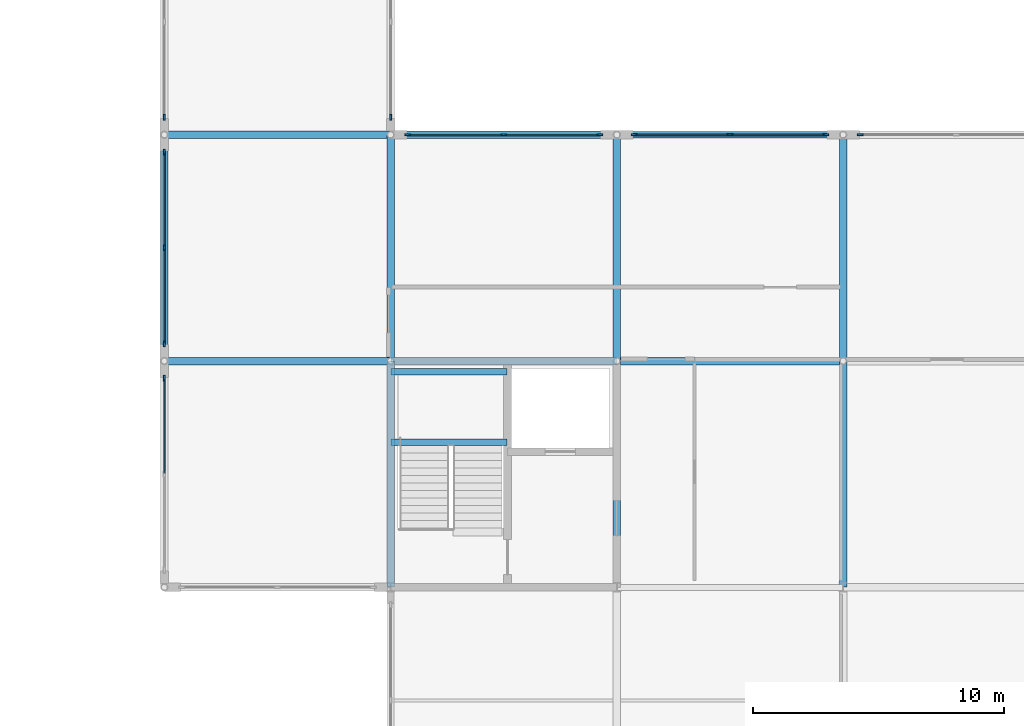
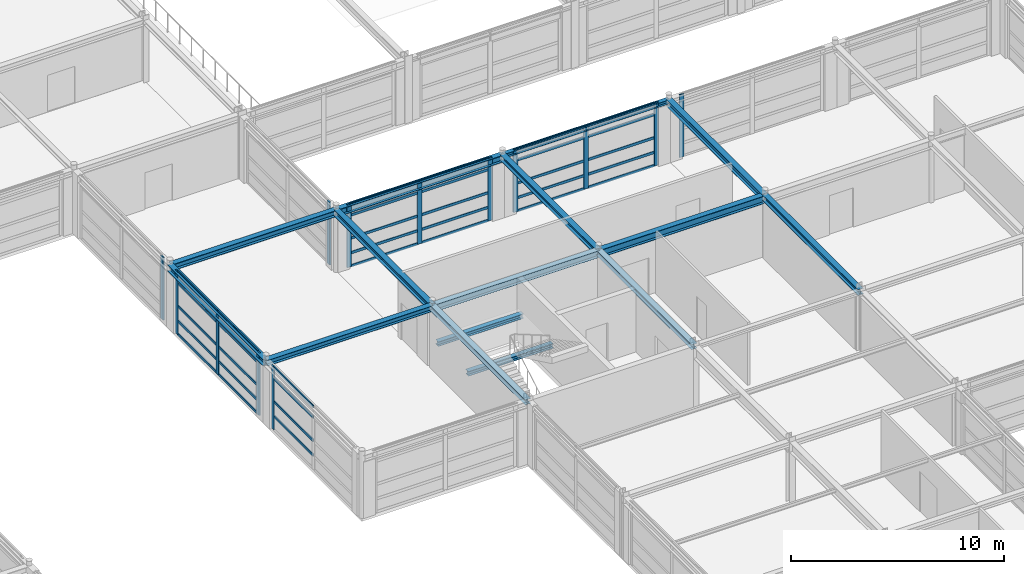
# One storey, part 30 of 79: 47 members, 15 beams, 7 elements without a shape of their own.
"""IFC4 building model written with IfcOpenShell, lengths in metres."""

from ifc_helpers import new_model, si_unit, direction, frame, origin, origin_2d, place, context, subcontext, project, spatial, rectangle, i_section, extrude, material, material_profile, profile_set, type_object, element, aggregate, save


model = new_model("IFC4")

# Units and contexts
model_context = context("Model", 3, precision=1e-05, world=origin(), true_north=direction((0.0, 1.0)))
body_context = subcontext(model_context, "Body", "Model", "MODEL_VIEW")
ifc_project = project(units=[si_unit("LENGTHUNIT", "METRE"), si_unit("AREAUNIT", "SQUARE_METRE"), si_unit("VOLUMEUNIT", "CUBIC_METRE"), si_unit("PLANEANGLEUNIT", "RADIAN"), si_unit("MASSUNIT", "GRAM", prefix="KILO")], contexts=[model_context])

# Site, building, storey
site_placement = place(None, origin())
site = spatial("IfcSite", under=ifc_project, at=site_placement, CompositionType="ELEMENT")
building_placement = place(site_placement, origin())
building = spatial("IfcBuilding", under=site, at=building_placement, Name="Palais des Congres Ocreval", CompositionType="ELEMENT")
storey_placement = place(building_placement, frame((0.0, 0.0, 4.320068359375)))
storey = spatial("IfcBuildingStorey", under=building, at=storey_placement, Name="L01", CompositionType="ELEMENT", Elevation=4.320068359375)

# Curtain wall, member
ifc_material_1 = material(Name="Anodized bronze aluminium and low-E glass", Category="glass")
curtain_wall_type = type_object("IfcCurtainWallType", Name="Unitised Curtain Wall 7900x3660", PredefinedType="USERDEFINED", material=ifc_material_1)
curtain_wall_1_placement = place(storey_placement, origin())
curtain_wall_1 = element("IfcCurtainWall", 1, at=curtain_wall_1_placement, inside=storey, type_object=curtain_wall_type, Name="Unitised Curtain Wall CW02 L01", ObjectType="UNITISED CURTAIN WALL", PredefinedType="USERDEFINED")
ifc_material_2 = material(Name="Anodized bronze aluminium", Category="aluminium")
ifc_material_profile_1 = material_profile(ifc_material_2, rectangle(XDim=0.074951171875, YDim=0.239990234375, at=origin_2d()), Name="ALU 75x240")
ifc_profile_set_1 = profile_set([ifc_material_profile_1], Name="Anodized bronze aluminium")
member_type_1 = type_object("IfcMemberType", Name="Curtain Wall Mullion ALU 75x240", PredefinedType="MULLION", material=ifc_profile_set_1)
member_1_placement = place(storey_placement, frame((108.0, 63.6875, 0.0), z_axis=(0.0, 0.0, 1.0), x_axis=(1.0, 0.0, 0.0)))
member_1 = element("IfcMember", 2, at=member_1_placement, type_object=member_type_1, Name="Curtain Wall Mullion ML01", PredefinedType="MULLION", context=body_context, shape_type="SweptSolid", body=[
    extrude(rectangle(XDim=0.074951171875, YDim=0.239990234375, at=origin_2d()), origin(), (0.0, 0.0, 1.0), 3.58984375),
])
aggregate(curtain_wall_1, [member_1])

# Curtain wall, members
curtain_wall_2_placement = place(storey_placement, origin())
curtain_wall_2 = element("IfcCurtainWall", 3, at=curtain_wall_2_placement, inside=storey, type_object=curtain_wall_type, Name="Unitised Curtain Wall CW02 L01", ObjectType="UNITISED CURTAIN WALL", PredefinedType="USERDEFINED")
member_2_placement = place(storey_placement, frame((108.6875, 63.0, 0.0), z_axis=(0.0, 0.0, 1.0), x_axis=(0.0, 1.0, 0.0)))
member_2 = element("IfcMember", 4, at=member_2_placement, type_object=member_type_1, Name="Curtain Wall Mullion ML01", PredefinedType="MULLION", context=body_context, shape_type="SweptSolid", body=[
    extrude(rectangle(XDim=0.074951171875, YDim=0.239990234375, at=origin_2d()), origin(), (0.0, 0.0, 1.0), 3.58984375),
])
member_3_placement = place(storey_placement, frame((112.5, 63.0, 0.0), z_axis=(0.0, 0.0, 1.0), x_axis=(0.0, 1.0, 0.0)))
member_3 = element("IfcMember", 5, at=member_3_placement, type_object=member_type_1, Name="Curtain Wall Mullion ML01", PredefinedType="MULLION", context=body_context, shape_type="SweptSolid", body=[
    extrude(rectangle(XDim=0.074951171875, YDim=0.239990234375, at=origin_2d()), origin(), (0.0, 0.0, 1.0), 3.58984375),
])
member_4_placement = place(storey_placement, frame((116.3125, 63.0, 0.0), z_axis=(0.0, 0.0, 1.0), x_axis=(0.0, 1.0, 0.0)))
member_4 = element("IfcMember", 6, at=member_4_placement, type_object=member_type_1, Name="Curtain Wall Mullion ML01", PredefinedType="MULLION", context=body_context, shape_type="SweptSolid", body=[
    extrude(rectangle(XDim=0.074951171875, YDim=0.239990234375, at=origin_2d()), origin(), (0.0, 0.0, 1.0), 3.58984375),
])

curtain_wall_3_placement = place(storey_placement, origin())
curtain_wall_3 = element("IfcCurtainWall", 7, at=curtain_wall_3_placement, inside=storey, type_object=curtain_wall_type, Name="Unitised Curtain Wall CW02 L01", ObjectType="UNITISED CURTAIN WALL", PredefinedType="USERDEFINED")
member_5_placement = place(storey_placement, frame((117.6875, 63.0, 0.0), z_axis=(0.0, 0.0, 1.0), x_axis=(0.0, 1.0, 0.0)))
member_5 = element("IfcMember", 8, at=member_5_placement, type_object=member_type_1, Name="Curtain Wall Mullion ML01", PredefinedType="MULLION", context=body_context, shape_type="SweptSolid", body=[
    extrude(rectangle(XDim=0.074951171875, YDim=0.239990234375, at=origin_2d()), origin(), (0.0, 0.0, 1.0), 3.58984375),
])
member_6_placement = place(storey_placement, frame((121.5, 63.0, 0.0), z_axis=(0.0, 0.0, 1.0), x_axis=(0.0, 1.0, 0.0)))
member_6 = element("IfcMember", 9, at=member_6_placement, type_object=member_type_1, Name="Curtain Wall Mullion ML01", PredefinedType="MULLION", context=body_context, shape_type="SweptSolid", body=[
    extrude(rectangle(XDim=0.074951171875, YDim=0.239990234375, at=origin_2d()), origin(), (0.0, 0.0, 1.0), 3.58984375),
])
member_7_placement = place(storey_placement, frame((125.3125, 63.0, 0.0), z_axis=(0.0, 0.0, 1.0), x_axis=(0.0, 1.0, 0.0)))
member_7 = element("IfcMember", 10, at=member_7_placement, type_object=member_type_1, Name="Curtain Wall Mullion ML01", PredefinedType="MULLION", context=body_context, shape_type="SweptSolid", body=[
    extrude(rectangle(XDim=0.074951171875, YDim=0.239990234375, at=origin_2d()), origin(), (0.0, 0.0, 1.0), 3.58984375),
])

# Curtain wall, member
curtain_wall_4_placement = place(storey_placement, origin())
curtain_wall_4 = element("IfcCurtainWall", 11, at=curtain_wall_4_placement, inside=storey, type_object=curtain_wall_type, Name="Unitised Curtain Wall CW02 L01", ObjectType="UNITISED CURTAIN WALL", PredefinedType="USERDEFINED")
member_8_placement = place(storey_placement, frame((126.6875, 63.0, 0.0), z_axis=(0.0, 0.0, 1.0), x_axis=(0.0, 1.0, 0.0)))
member_8 = element("IfcMember", 12, at=member_8_placement, type_object=member_type_1, Name="Curtain Wall Mullion ML01", PredefinedType="MULLION", context=body_context, shape_type="SweptSolid", body=[
    extrude(rectangle(XDim=0.074951171875, YDim=0.239990234375, at=origin_2d()), origin(), (0.0, 0.0, 1.0), 3.58984375),
])
aggregate(curtain_wall_4, [member_8])

curtain_wall_5_placement = place(storey_placement, origin())
curtain_wall_5 = element("IfcCurtainWall", 13, at=curtain_wall_5_placement, inside=storey, type_object=curtain_wall_type, Name="Unitised Curtain Wall CW02 L01", ObjectType="UNITISED CURTAIN WALL", PredefinedType="USERDEFINED")
member_9_placement = place(storey_placement, frame((99.0, 53.3125, 0.0), z_axis=(0.0, 0.0, 1.0), x_axis=(-1.0, 0.0, 0.0)))
member_9 = element("IfcMember", 14, at=member_9_placement, type_object=member_type_1, Name="Curtain Wall Mullion ML01", PredefinedType="MULLION", context=body_context, shape_type="SweptSolid", body=[
    extrude(rectangle(XDim=0.074951171875, YDim=0.239990234375, at=origin_2d()), origin(), (0.0, 0.0, 1.0), 3.58984375),
])

# Curtain wall, members
curtain_wall_6_placement = place(storey_placement, origin())
curtain_wall_6 = element("IfcCurtainWall", 15, at=curtain_wall_6_placement, inside=storey, type_object=curtain_wall_type, Name="Unitised Curtain Wall CW02 L01", ObjectType="UNITISED CURTAIN WALL", PredefinedType="USERDEFINED")
member_10_placement = place(storey_placement, frame((99.0, 54.6875, 0.0), z_axis=(0.0, 0.0, 1.0), x_axis=(-1.0, 0.0, 0.0)))
member_10 = element("IfcMember", 16, at=member_10_placement, type_object=member_type_1, Name="Curtain Wall Mullion ML01", PredefinedType="MULLION", context=body_context, shape_type="SweptSolid", body=[
    extrude(rectangle(XDim=0.074951171875, YDim=0.239990234375, at=origin_2d()), origin(), (0.0, 0.0, 1.0), 3.58984375),
])
member_11_placement = place(storey_placement, frame((99.0, 58.5, 0.0), z_axis=(0.0, 0.0, 1.0), x_axis=(-1.0, 0.0, 0.0)))
member_11 = element("IfcMember", 17, at=member_11_placement, type_object=member_type_1, Name="Curtain Wall Mullion ML01", PredefinedType="MULLION", context=body_context, shape_type="SweptSolid", body=[
    extrude(rectangle(XDim=0.074951171875, YDim=0.239990234375, at=origin_2d()), origin(), (0.0, 0.0, 1.0), 3.58984375),
])
member_12_placement = place(storey_placement, frame((99.0, 62.3125, 0.0), z_axis=(0.0, 0.0, 1.0), x_axis=(-1.0, 0.0, 0.0)))
member_12 = element("IfcMember", 18, at=member_12_placement, type_object=member_type_1, Name="Curtain Wall Mullion ML01", PredefinedType="MULLION", context=body_context, shape_type="SweptSolid", body=[
    extrude(rectangle(XDim=0.074951171875, YDim=0.239990234375, at=origin_2d()), origin(), (0.0, 0.0, 1.0), 3.58984375),
])

# Curtain wall, member
curtain_wall_7_placement = place(storey_placement, origin())
curtain_wall_7 = element("IfcCurtainWall", 19, at=curtain_wall_7_placement, inside=storey, type_object=curtain_wall_type, Name="Unitised Curtain Wall CW02 L01", ObjectType="UNITISED CURTAIN WALL", PredefinedType="USERDEFINED")
member_13_placement = place(storey_placement, frame((99.0, 63.6875, 0.0), z_axis=(0.0, 0.0, 1.0), x_axis=(-1.0, 0.0, 0.0)))
member_13 = element("IfcMember", 20, at=member_13_placement, type_object=member_type_1, Name="Curtain Wall Mullion ML01", PredefinedType="MULLION", context=body_context, shape_type="SweptSolid", body=[
    extrude(rectangle(XDim=0.074951171875, YDim=0.239990234375, at=origin_2d()), origin(), (0.0, 0.0, 1.0), 3.58984375),
])
aggregate(curtain_wall_7, [member_13])

# Member
ifc_material_profile_2 = material_profile(ifc_material_2, rectangle(XDim=0.06005859375, YDim=0.14990234375, at=origin_2d()), Name="ALU 60x150")
ifc_profile_set_2 = profile_set([ifc_material_profile_2], Name="Anodized bronze aluminium")
member_type_2 = type_object("IfcMemberType", Name="Curtain Wall Transom ALU 60x150", PredefinedType="USERDEFINED", material=ifc_profile_set_2)
member_14_placement = place(storey_placement, frame((108.72509765625, 63.0, 0.030029296875), z_axis=(1.0, 0.0, 0.0), x_axis=(0.0, 1.0, 0.0)))
member_14 = element("IfcMember", 21, at=member_14_placement, type_object=member_type_2, Name="Curtain Wall Transom TR01", ObjectType="TRANSOM", PredefinedType="USERDEFINED", context=body_context, shape_type="SweptSolid", body=[
    extrude(rectangle(XDim=0.06005859375, YDim=0.14990234375, at=origin_2d()), origin(), (0.0, 0.0, 1.0), 3.7373046875),
])

member_15_placement = place(storey_placement, frame((108.72509765625, 63.0, 0.780029296875), z_axis=(1.0, 0.0, 0.0), x_axis=(0.0, 1.0, 0.0)))
member_15 = element("IfcMember", 22, at=member_15_placement, type_object=member_type_2, Name="Curtain Wall Transom TR01", ObjectType="TRANSOM", PredefinedType="USERDEFINED", context=body_context, shape_type="SweptSolid", body=[
    extrude(rectangle(XDim=0.06005859375, YDim=0.14990234375, at=origin_2d()), origin(), (0.0, 0.0, 1.0), 3.7373046875),
])

member_16_placement = place(storey_placement, frame((108.72509765625, 63.0, 1.616943359375), z_axis=(1.0, 0.0, 0.0), x_axis=(0.0, 1.0, 0.0)))
member_16 = element("IfcMember", 23, at=member_16_placement, type_object=member_type_2, Name="Curtain Wall Transom TR01", ObjectType="TRANSOM", PredefinedType="USERDEFINED", context=body_context, shape_type="SweptSolid", body=[
    extrude(rectangle(XDim=0.06005859375, YDim=0.14990234375, at=origin_2d()), origin(), (0.0, 0.0, 1.0), 3.7373046875),
])

member_17_placement = place(storey_placement, frame((108.72509765625, 63.0, 2.93994140625), z_axis=(1.0, 0.0, 0.0), x_axis=(0.0, 1.0, 0.0)))
member_17 = element("IfcMember", 24, at=member_17_placement, type_object=member_type_2, Name="Curtain Wall Transom TR01", ObjectType="TRANSOM", PredefinedType="USERDEFINED", context=body_context, shape_type="SweptSolid", body=[
    extrude(rectangle(XDim=0.06005859375, YDim=0.14990234375, at=origin_2d()), origin(), (0.0, 0.0, 1.0), 3.7373046875),
])

member_18_placement = place(storey_placement, frame((108.72509765625, 63.0, 3.559814453125), z_axis=(1.0, 0.0, 0.0), x_axis=(0.0, 1.0, 0.0)))
member_18 = element("IfcMember", 25, at=member_18_placement, type_object=member_type_2, Name="Curtain Wall Transom TR01", ObjectType="TRANSOM", PredefinedType="USERDEFINED", context=body_context, shape_type="SweptSolid", body=[
    extrude(rectangle(XDim=0.06005859375, YDim=0.14990234375, at=origin_2d()), origin(), (0.0, 0.0, 1.0), 3.7373046875),
])

member_19_placement = place(storey_placement, frame((112.53759765625, 63.0, 0.030029296875), z_axis=(1.0, 0.0, 0.0), x_axis=(0.0, 1.0, 0.0)))
member_19 = element("IfcMember", 26, at=member_19_placement, type_object=member_type_2, Name="Curtain Wall Transom TR01", ObjectType="TRANSOM", PredefinedType="USERDEFINED", context=body_context, shape_type="SweptSolid", body=[
    extrude(rectangle(XDim=0.06005859375, YDim=0.14990234375, at=origin_2d()), origin(), (0.0, 0.0, 1.0), 3.7373046875),
])

member_20_placement = place(storey_placement, frame((112.53759765625, 63.0, 0.780029296875), z_axis=(1.0, 0.0, 0.0), x_axis=(0.0, 1.0, 0.0)))
member_20 = element("IfcMember", 27, at=member_20_placement, type_object=member_type_2, Name="Curtain Wall Transom TR01", ObjectType="TRANSOM", PredefinedType="USERDEFINED", context=body_context, shape_type="SweptSolid", body=[
    extrude(rectangle(XDim=0.06005859375, YDim=0.14990234375, at=origin_2d()), origin(), (0.0, 0.0, 1.0), 3.7373046875),
])

member_21_placement = place(storey_placement, frame((112.53759765625, 63.0, 1.616943359375), z_axis=(1.0, 0.0, 0.0), x_axis=(0.0, 1.0, 0.0)))
member_21 = element("IfcMember", 28, at=member_21_placement, type_object=member_type_2, Name="Curtain Wall Transom TR01", ObjectType="TRANSOM", PredefinedType="USERDEFINED", context=body_context, shape_type="SweptSolid", body=[
    extrude(rectangle(XDim=0.06005859375, YDim=0.14990234375, at=origin_2d()), origin(), (0.0, 0.0, 1.0), 3.7373046875),
])

member_22_placement = place(storey_placement, frame((112.53759765625, 63.0, 2.93994140625), z_axis=(1.0, 0.0, 0.0), x_axis=(0.0, 1.0, 0.0)))
member_22 = element("IfcMember", 29, at=member_22_placement, type_object=member_type_2, Name="Curtain Wall Transom TR01", ObjectType="TRANSOM", PredefinedType="USERDEFINED", context=body_context, shape_type="SweptSolid", body=[
    extrude(rectangle(XDim=0.06005859375, YDim=0.14990234375, at=origin_2d()), origin(), (0.0, 0.0, 1.0), 3.7373046875),
])

member_23_placement = place(storey_placement, frame((112.53759765625, 63.0, 3.559814453125), z_axis=(1.0, 0.0, 0.0), x_axis=(0.0, 1.0, 0.0)))
member_23 = element("IfcMember", 30, at=member_23_placement, type_object=member_type_2, Name="Curtain Wall Transom TR01", ObjectType="TRANSOM", PredefinedType="USERDEFINED", context=body_context, shape_type="SweptSolid", body=[
    extrude(rectangle(XDim=0.06005859375, YDim=0.14990234375, at=origin_2d()), origin(), (0.0, 0.0, 1.0), 3.7373046875),
])

aggregate(curtain_wall_2, [member_2, member_3, member_4, member_14, member_15, member_16, member_17, member_18, member_19, member_20, member_21, member_22, member_23])

member_24_placement = place(storey_placement, frame((117.72509765625, 63.0, 0.030029296875), z_axis=(1.0, 0.0, 0.0), x_axis=(0.0, 1.0, 0.0)))
member_24 = element("IfcMember", 31, at=member_24_placement, type_object=member_type_2, Name="Curtain Wall Transom TR01", ObjectType="TRANSOM", PredefinedType="USERDEFINED", context=body_context, shape_type="SweptSolid", body=[
    extrude(rectangle(XDim=0.06005859375, YDim=0.14990234375, at=origin_2d()), origin(), (0.0, 0.0, 1.0), 3.7373046875),
])

member_25_placement = place(storey_placement, frame((117.72509765625, 63.0, 0.780029296875), z_axis=(1.0, 0.0, 0.0), x_axis=(0.0, 1.0, 0.0)))
member_25 = element("IfcMember", 32, at=member_25_placement, type_object=member_type_2, Name="Curtain Wall Transom TR01", ObjectType="TRANSOM", PredefinedType="USERDEFINED", context=body_context, shape_type="SweptSolid", body=[
    extrude(rectangle(XDim=0.06005859375, YDim=0.14990234375, at=origin_2d()), origin(), (0.0, 0.0, 1.0), 3.7373046875),
])

member_26_placement = place(storey_placement, frame((117.72509765625, 63.0, 1.616943359375), z_axis=(1.0, 0.0, 0.0), x_axis=(0.0, 1.0, 0.0)))
member_26 = element("IfcMember", 33, at=member_26_placement, type_object=member_type_2, Name="Curtain Wall Transom TR01", ObjectType="TRANSOM", PredefinedType="USERDEFINED", context=body_context, shape_type="SweptSolid", body=[
    extrude(rectangle(XDim=0.06005859375, YDim=0.14990234375, at=origin_2d()), origin(), (0.0, 0.0, 1.0), 3.7373046875),
])

member_27_placement = place(storey_placement, frame((117.72509765625, 63.0, 2.93994140625), z_axis=(1.0, 0.0, 0.0), x_axis=(0.0, 1.0, 0.0)))
member_27 = element("IfcMember", 34, at=member_27_placement, type_object=member_type_2, Name="Curtain Wall Transom TR01", ObjectType="TRANSOM", PredefinedType="USERDEFINED", context=body_context, shape_type="SweptSolid", body=[
    extrude(rectangle(XDim=0.06005859375, YDim=0.14990234375, at=origin_2d()), origin(), (0.0, 0.0, 1.0), 3.7373046875),
])

member_28_placement = place(storey_placement, frame((117.72509765625, 63.0, 3.559814453125), z_axis=(1.0, 0.0, 0.0), x_axis=(0.0, 1.0, 0.0)))
member_28 = element("IfcMember", 35, at=member_28_placement, type_object=member_type_2, Name="Curtain Wall Transom TR01", ObjectType="TRANSOM", PredefinedType="USERDEFINED", context=body_context, shape_type="SweptSolid", body=[
    extrude(rectangle(XDim=0.06005859375, YDim=0.14990234375, at=origin_2d()), origin(), (0.0, 0.0, 1.0), 3.7373046875),
])

member_29_placement = place(storey_placement, frame((121.53759765625, 63.0, 0.030029296875), z_axis=(1.0, 0.0, 0.0), x_axis=(0.0, 1.0, 0.0)))
member_29 = element("IfcMember", 36, at=member_29_placement, type_object=member_type_2, Name="Curtain Wall Transom TR01", ObjectType="TRANSOM", PredefinedType="USERDEFINED", context=body_context, shape_type="SweptSolid", body=[
    extrude(rectangle(XDim=0.06005859375, YDim=0.14990234375, at=origin_2d()), origin(), (0.0, 0.0, 1.0), 3.7373046875),
])

member_30_placement = place(storey_placement, frame((121.53759765625, 63.0, 0.780029296875), z_axis=(1.0, 0.0, 0.0), x_axis=(0.0, 1.0, 0.0)))
member_30 = element("IfcMember", 37, at=member_30_placement, type_object=member_type_2, Name="Curtain Wall Transom TR01", ObjectType="TRANSOM", PredefinedType="USERDEFINED", context=body_context, shape_type="SweptSolid", body=[
    extrude(rectangle(XDim=0.06005859375, YDim=0.14990234375, at=origin_2d()), origin(), (0.0, 0.0, 1.0), 3.7373046875),
])

member_31_placement = place(storey_placement, frame((121.53759765625, 63.0, 1.616943359375), z_axis=(1.0, 0.0, 0.0), x_axis=(0.0, 1.0, 0.0)))
member_31 = element("IfcMember", 38, at=member_31_placement, type_object=member_type_2, Name="Curtain Wall Transom TR01", ObjectType="TRANSOM", PredefinedType="USERDEFINED", context=body_context, shape_type="SweptSolid", body=[
    extrude(rectangle(XDim=0.06005859375, YDim=0.14990234375, at=origin_2d()), origin(), (0.0, 0.0, 1.0), 3.7373046875),
])

member_32_placement = place(storey_placement, frame((121.53759765625, 63.0, 2.93994140625), z_axis=(1.0, 0.0, 0.0), x_axis=(0.0, 1.0, 0.0)))
member_32 = element("IfcMember", 39, at=member_32_placement, type_object=member_type_2, Name="Curtain Wall Transom TR01", ObjectType="TRANSOM", PredefinedType="USERDEFINED", context=body_context, shape_type="SweptSolid", body=[
    extrude(rectangle(XDim=0.06005859375, YDim=0.14990234375, at=origin_2d()), origin(), (0.0, 0.0, 1.0), 3.7373046875),
])

member_33_placement = place(storey_placement, frame((121.53759765625, 63.0, 3.559814453125), z_axis=(1.0, 0.0, 0.0), x_axis=(0.0, 1.0, 0.0)))
member_33 = element("IfcMember", 40, at=member_33_placement, type_object=member_type_2, Name="Curtain Wall Transom TR01", ObjectType="TRANSOM", PredefinedType="USERDEFINED", context=body_context, shape_type="SweptSolid", body=[
    extrude(rectangle(XDim=0.06005859375, YDim=0.14990234375, at=origin_2d()), origin(), (0.0, 0.0, 1.0), 3.7373046875),
])

aggregate(curtain_wall_3, [member_5, member_6, member_7, member_24, member_25, member_26, member_27, member_28, member_29, member_30, member_31, member_32, member_33])

member_34_placement = place(storey_placement, frame((99.0, 49.53759765625, 0.780029296875), z_axis=(0.0, 1.0, 0.0), x_axis=(-1.0, 0.0, 0.0)))
member_34 = element("IfcMember", 41, at=member_34_placement, type_object=member_type_2, Name="Curtain Wall Transom TR01", ObjectType="TRANSOM", PredefinedType="USERDEFINED", context=body_context, shape_type="SweptSolid", body=[
    extrude(rectangle(XDim=0.06005859375, YDim=0.14990234375, at=origin_2d()), origin(), (0.0, 0.0, 1.0), 3.7373046875),
])

member_35_placement = place(storey_placement, frame((99.0, 49.53759765625, 1.616943359375), z_axis=(0.0, 1.0, 0.0), x_axis=(-1.0, 0.0, 0.0)))
member_35 = element("IfcMember", 42, at=member_35_placement, type_object=member_type_2, Name="Curtain Wall Transom TR01", ObjectType="TRANSOM", PredefinedType="USERDEFINED", context=body_context, shape_type="SweptSolid", body=[
    extrude(rectangle(XDim=0.06005859375, YDim=0.14990234375, at=origin_2d()), origin(), (0.0, 0.0, 1.0), 3.7373046875),
])

member_36_placement = place(storey_placement, frame((99.0, 49.53759765625, 2.93994140625), z_axis=(0.0, 1.0, 0.0), x_axis=(-1.0, 0.0, 0.0)))
member_36 = element("IfcMember", 43, at=member_36_placement, type_object=member_type_2, Name="Curtain Wall Transom TR01", ObjectType="TRANSOM", PredefinedType="USERDEFINED", context=body_context, shape_type="SweptSolid", body=[
    extrude(rectangle(XDim=0.06005859375, YDim=0.14990234375, at=origin_2d()), origin(), (0.0, 0.0, 1.0), 3.7373046875),
])

member_37_placement = place(storey_placement, frame((99.0, 49.53759765625, 3.559814453125), z_axis=(0.0, 1.0, 0.0), x_axis=(-1.0, 0.0, 0.0)))
member_37 = element("IfcMember", 44, at=member_37_placement, type_object=member_type_2, Name="Curtain Wall Transom TR01", ObjectType="TRANSOM", PredefinedType="USERDEFINED", context=body_context, shape_type="SweptSolid", body=[
    extrude(rectangle(XDim=0.06005859375, YDim=0.14990234375, at=origin_2d()), origin(), (0.0, 0.0, 1.0), 3.7373046875),
])

aggregate(curtain_wall_5, [member_9, member_34, member_35, member_36, member_37])

member_38_placement = place(storey_placement, frame((99.0, 54.72509765625, 0.030029296875), z_axis=(0.0, 1.0, 0.0), x_axis=(-1.0, 0.0, 0.0)))
member_38 = element("IfcMember", 45, at=member_38_placement, type_object=member_type_2, Name="Curtain Wall Transom TR01", ObjectType="TRANSOM", PredefinedType="USERDEFINED", context=body_context, shape_type="SweptSolid", body=[
    extrude(rectangle(XDim=0.06005859375, YDim=0.14990234375, at=origin_2d()), origin(), (0.0, 0.0, 1.0), 3.7373046875),
])

member_39_placement = place(storey_placement, frame((99.0, 54.72509765625, 0.780029296875), z_axis=(0.0, 1.0, 0.0), x_axis=(-1.0, 0.0, 0.0)))
member_39 = element("IfcMember", 46, at=member_39_placement, type_object=member_type_2, Name="Curtain Wall Transom TR01", ObjectType="TRANSOM", PredefinedType="USERDEFINED", context=body_context, shape_type="SweptSolid", body=[
    extrude(rectangle(XDim=0.06005859375, YDim=0.14990234375, at=origin_2d()), origin(), (0.0, 0.0, 1.0), 3.7373046875),
])

member_40_placement = place(storey_placement, frame((99.0, 54.72509765625, 1.616943359375), z_axis=(0.0, 1.0, 0.0), x_axis=(-1.0, 0.0, 0.0)))
member_40 = element("IfcMember", 47, at=member_40_placement, type_object=member_type_2, Name="Curtain Wall Transom TR01", ObjectType="TRANSOM", PredefinedType="USERDEFINED", context=body_context, shape_type="SweptSolid", body=[
    extrude(rectangle(XDim=0.06005859375, YDim=0.14990234375, at=origin_2d()), origin(), (0.0, 0.0, 1.0), 3.7373046875),
])

member_41_placement = place(storey_placement, frame((99.0, 54.72509765625, 2.93994140625), z_axis=(0.0, 1.0, 0.0), x_axis=(-1.0, 0.0, 0.0)))
member_41 = element("IfcMember", 48, at=member_41_placement, type_object=member_type_2, Name="Curtain Wall Transom TR01", ObjectType="TRANSOM", PredefinedType="USERDEFINED", context=body_context, shape_type="SweptSolid", body=[
    extrude(rectangle(XDim=0.06005859375, YDim=0.14990234375, at=origin_2d()), origin(), (0.0, 0.0, 1.0), 3.7373046875),
])

member_42_placement = place(storey_placement, frame((99.0, 54.72509765625, 3.559814453125), z_axis=(0.0, 1.0, 0.0), x_axis=(-1.0, 0.0, 0.0)))
member_42 = element("IfcMember", 49, at=member_42_placement, type_object=member_type_2, Name="Curtain Wall Transom TR01", ObjectType="TRANSOM", PredefinedType="USERDEFINED", context=body_context, shape_type="SweptSolid", body=[
    extrude(rectangle(XDim=0.06005859375, YDim=0.14990234375, at=origin_2d()), origin(), (0.0, 0.0, 1.0), 3.7373046875),
])

member_43_placement = place(storey_placement, frame((99.0, 58.53759765625, 0.030029296875), z_axis=(0.0, 1.0, 0.0), x_axis=(-1.0, 0.0, 0.0)))
member_43 = element("IfcMember", 50, at=member_43_placement, type_object=member_type_2, Name="Curtain Wall Transom TR01", ObjectType="TRANSOM", PredefinedType="USERDEFINED", context=body_context, shape_type="SweptSolid", body=[
    extrude(rectangle(XDim=0.06005859375, YDim=0.14990234375, at=origin_2d()), origin(), (0.0, 0.0, 1.0), 3.7373046875),
])

member_44_placement = place(storey_placement, frame((99.0, 58.53759765625, 0.780029296875), z_axis=(0.0, 1.0, 0.0), x_axis=(-1.0, 0.0, 0.0)))
member_44 = element("IfcMember", 51, at=member_44_placement, type_object=member_type_2, Name="Curtain Wall Transom TR01", ObjectType="TRANSOM", PredefinedType="USERDEFINED", context=body_context, shape_type="SweptSolid", body=[
    extrude(rectangle(XDim=0.06005859375, YDim=0.14990234375, at=origin_2d()), origin(), (0.0, 0.0, 1.0), 3.7373046875),
])

member_45_placement = place(storey_placement, frame((99.0, 58.53759765625, 1.616943359375), z_axis=(0.0, 1.0, 0.0), x_axis=(-1.0, 0.0, 0.0)))
member_45 = element("IfcMember", 52, at=member_45_placement, type_object=member_type_2, Name="Curtain Wall Transom TR01", ObjectType="TRANSOM", PredefinedType="USERDEFINED", context=body_context, shape_type="SweptSolid", body=[
    extrude(rectangle(XDim=0.06005859375, YDim=0.14990234375, at=origin_2d()), origin(), (0.0, 0.0, 1.0), 3.7373046875),
])

member_46_placement = place(storey_placement, frame((99.0, 58.53759765625, 2.93994140625), z_axis=(0.0, 1.0, 0.0), x_axis=(-1.0, 0.0, 0.0)))
member_46 = element("IfcMember", 53, at=member_46_placement, type_object=member_type_2, Name="Curtain Wall Transom TR01", ObjectType="TRANSOM", PredefinedType="USERDEFINED", context=body_context, shape_type="SweptSolid", body=[
    extrude(rectangle(XDim=0.06005859375, YDim=0.14990234375, at=origin_2d()), origin(), (0.0, 0.0, 1.0), 3.7373046875),
])

member_47_placement = place(storey_placement, frame((99.0, 58.53759765625, 3.559814453125), z_axis=(0.0, 1.0, 0.0), x_axis=(-1.0, 0.0, 0.0)))
member_47 = element("IfcMember", 54, at=member_47_placement, type_object=member_type_2, Name="Curtain Wall Transom TR01", ObjectType="TRANSOM", PredefinedType="USERDEFINED", context=body_context, shape_type="SweptSolid", body=[
    extrude(rectangle(XDim=0.06005859375, YDim=0.14990234375, at=origin_2d()), origin(), (0.0, 0.0, 1.0), 3.7373046875),
])

aggregate(curtain_wall_6, [member_10, member_11, member_12, member_38, member_39, member_40, member_41, member_42, member_43, member_44, member_45, member_46, member_47])

# Beams
ifc_material_3 = material(Name="Steel S355", Category="steel")
ifc_material_profile_3 = material_profile(ifc_material_3, i_section(OverallWidth=0.260009765625, OverallDepth=0.260009765625, WebThickness=0.010009765625, FlangeThickness=0.017578125, at=origin_2d()), Name="HEB 260")
ifc_profile_set_3 = profile_set([ifc_material_profile_3], Name="Steel S355")
beam_type_1 = type_object("IfcBeamType", Name="Opening Lintel HEB 260 Steel S355", PredefinedType="LINTEL", material=ifc_profile_set_3)
for number, where, z_axis, x_axis, name in (
    (55, (108.02001953125, 50.77001953125, 1.58984375), (1.0, 0.0, 0.0), (0.0, 1.0, 0.0), "Stair Landing Support Beam ST10 L01-1"),
    (56, (108.02001953125, 53.580078125, 1.58984375), (1.0, 0.0, 0.0), (0.0, 1.0, 0.0), "Stair Landing Support Beam ST10 L01-2"),
):
    element("IfcBeam", number, at=place(storey_placement, frame(where, z_axis=z_axis, x_axis=x_axis)), inside=storey, type_object=beam_type_1, Name=name, PredefinedType="LINTEL", context=body_context, shape_type="SweptSolid", body=[
        extrude(i_section(OverallWidth=0.260009765625, OverallDepth=0.260009765625, WebThickness=0.010009765625, FlangeThickness=0.017578125, at=origin_2d()), origin(), (0.0, 0.0, 1.0), 4.60986328125),
    ])
ifc_material_profile_4 = material_profile(ifc_material_3, i_section(OverallWidth=0.239990234375, OverallDepth=0.22998046875, WebThickness=0.007568359375, FlangeThickness=0.011962890625, at=origin_2d()), Name="HEA 240")
ifc_profile_set_4 = profile_set([ifc_material_profile_4], Name="Steel S355")
beam_type_2 = type_object("IfcBeamType", Name="Perimeter Spandrel HEA 240 Steel S355", PredefinedType="SPANDREL", material=ifc_profile_set_4)
beam_1_placement = place(storey_placement, frame((117.02001953125, 63.0, 3.46484375), z_axis=(1.0, 0.0, 0.0), x_axis=(0.0, 1.0, 0.0)))
element("IfcBeam", 57, at=beam_1_placement, inside=storey, type_object=beam_type_2, Name="Beam SP01 L01", PredefinedType="SPANDREL", context=body_context, shape_type="SweptSolid", body=[
    extrude(i_section(OverallWidth=0.239990234375, OverallDepth=0.22998046875, WebThickness=0.007568359375, FlangeThickness=0.011962890625, at=origin_2d()), origin(), (0.0, 0.0, 1.0), 8.9599609375),
])
ifc_material_profile_5 = material_profile(ifc_material_3, i_section(OverallWidth=0.300048828125, OverallDepth=0.300048828125, WebThickness=0.010986328125, FlangeThickness=0.01904296875, at=origin_2d()), Name="HEB 300")
ifc_profile_set_5 = profile_set([ifc_material_profile_5], Name="Steel S355")
beam_type_3 = type_object("IfcBeamType", Name="Perimeter Spandrel HEB 300 Steel S355", PredefinedType="SPANDREL", material=ifc_profile_set_5)
beam_2_placement = place(storey_placement, frame((108.0, 45.02001953125, 3.429931640625), z_axis=(0.0, 1.0, 0.0), x_axis=(-1.0, 0.0, 0.0)))
element("IfcBeam", 58, at=beam_2_placement, inside=storey, type_object=beam_type_3, Name="Girder SP02 L01", PredefinedType="SPANDREL", context=body_context, shape_type="SweptSolid", body=[
    extrude(i_section(OverallWidth=0.300048828125, OverallDepth=0.300048828125, WebThickness=0.010986328125, FlangeThickness=0.01904296875, at=origin_2d()), origin(), (0.0, 0.0, 1.0), 8.9599609375),
])
ifc_material_profile_6 = material_profile(ifc_material_3, i_section(OverallWidth=0.300048828125, OverallDepth=0.360107421875, WebThickness=0.012451171875, FlangeThickness=0.0224609375, at=origin_2d()), Name="HEB 360")
ifc_profile_set_6 = profile_set([ifc_material_profile_6], Name="Steel S355")
beam_type_4 = type_object("IfcBeamType", Name="Perimeter Spandrel HEB 360 Steel S355", PredefinedType="SPANDREL", material=ifc_profile_set_6)
for number, where, z_axis, x_axis, name in (
    (59, (99.0, 54.02001953125, 3.39990234375), (0.0, 1.0, 0.0), (-1.0, 0.0, 0.0), "Girder SP03 L01"),
    (60, (99.02001953125, 63.0, 3.39990234375), (1.0, 0.0, 0.0), (0.0, 1.0, 0.0), "Beam SP03 L01"),
    (61, (108.0, 54.02001953125, 3.39990234375), (0.0, 1.0, 0.0), (-1.0, 0.0, 0.0), "Girder SP03 L01"),
):
    element("IfcBeam", number, at=place(storey_placement, frame(where, z_axis=z_axis, x_axis=x_axis)), inside=storey, type_object=beam_type_4, Name=name, PredefinedType="SPANDREL", context=body_context, shape_type="SweptSolid", body=[
        extrude(i_section(OverallWidth=0.300048828125, OverallDepth=0.360107421875, WebThickness=0.012451171875, FlangeThickness=0.0224609375, at=origin_2d()), origin(), (0.0, 0.0, 1.0), 8.9599609375),
    ])
ifc_material_profile_7 = material_profile(ifc_material_3, i_section(OverallWidth=0.300048828125, OverallDepth=0.39990234375, WebThickness=0.013427734375, FlangeThickness=0.02392578125, at=origin_2d()), Name="HEB 400")
ifc_profile_set_7 = profile_set([ifc_material_profile_7], Name="Steel S355")
beam_type_5 = type_object("IfcBeamType", Name="Perimeter Spandrel HEB 400 Steel S355", PredefinedType="SPANDREL", material=ifc_profile_set_7)
beam_3_placement = place(storey_placement, frame((108.02001953125, 63.0, 3.3798828125), z_axis=(1.0, 0.0, 0.0), x_axis=(0.0, 1.0, 0.0)))
element("IfcBeam", 62, at=beam_3_placement, inside=storey, type_object=beam_type_5, Name="Beam SP04 L01", PredefinedType="SPANDREL", context=body_context, shape_type="SweptSolid", body=[
    extrude(i_section(OverallWidth=0.300048828125, OverallDepth=0.39990234375, WebThickness=0.013427734375, FlangeThickness=0.02392578125, at=origin_2d()), origin(), (0.0, 0.0, 1.0), 8.9599609375),
])
ifc_material_profile_8 = material_profile(ifc_material_3, i_section(OverallWidth=0.300048828125, OverallDepth=0.2900390625, WebThickness=0.008544921875, FlangeThickness=0.013916015625, at=origin_2d()), Name="HEA 300")
ifc_profile_set_8 = profile_set([ifc_material_profile_8], Name="Steel S355")
beam_type_6 = type_object("IfcBeamType", Name="Primary Beam HEA 300 Steel S355", PredefinedType="BEAM", material=ifc_profile_set_8)
beam_4_placement = place(storey_placement, frame((117.0, 45.02001953125, 3.434814453125), z_axis=(0.0, 1.0, 0.0), x_axis=(-1.0, 0.0, 0.0)))
element("IfcBeam", 63, at=beam_4_placement, inside=storey, type_object=beam_type_6, Name="Girder B08 L01", PredefinedType="BEAM", context=body_context, shape_type="SweptSolid", body=[
    extrude(i_section(OverallWidth=0.300048828125, OverallDepth=0.2900390625, WebThickness=0.008544921875, FlangeThickness=0.013916015625, at=origin_2d()), origin(), (0.0, 0.0, 1.0), 8.9599609375),
])
ifc_material_profile_9 = material_profile(ifc_material_3, i_section(OverallWidth=0.300048828125, OverallDepth=0.330078125, WebThickness=0.009521484375, FlangeThickness=0.0166015625, at=origin_2d()), Name="HEA 340")
ifc_profile_set_9 = profile_set([ifc_material_profile_9], Name="Steel S355")
beam_type_7 = type_object("IfcBeamType", Name="Primary Beam HEA 340 Steel S355", PredefinedType="BEAM", material=ifc_profile_set_9)
for number, where, z_axis, x_axis, name in (
    (64, (99.02001953125, 54.0, 3.4150390625), (1.0, 0.0, 0.0), (0.0, 1.0, 0.0), "Beam B09 L01"),
    (65, (117.0, 54.02001953125, 3.4150390625), (0.0, 1.0, 0.0), (-1.0, 0.0, 0.0), "Girder B09 L01"),
    (66, (126.0, 45.02001953125, 3.4150390625), (0.0, 1.0, 0.0), (-1.0, 0.0, 0.0), "Girder B09 L01"),
):
    element("IfcBeam", number, at=place(storey_placement, frame(where, z_axis=z_axis, x_axis=x_axis)), inside=storey, type_object=beam_type_7, Name=name, PredefinedType="BEAM", context=body_context, shape_type="SweptSolid", body=[
        extrude(i_section(OverallWidth=0.300048828125, OverallDepth=0.330078125, WebThickness=0.009521484375, FlangeThickness=0.0166015625, at=origin_2d()), origin(), (0.0, 0.0, 1.0), 8.9599609375),
    ])
ifc_material_profile_10 = material_profile(ifc_material_3, i_section(OverallWidth=0.300048828125, OverallDepth=0.389892578125, WebThickness=0.010986328125, FlangeThickness=0.01904296875, at=origin_2d()), Name="HEA 400")
ifc_profile_set_10 = profile_set([ifc_material_profile_10], Name="Steel S355")
beam_type_8 = type_object("IfcBeamType", Name="Primary Beam HEA 400 Steel S355", PredefinedType="BEAM", material=ifc_profile_set_10)
for number, where, z_axis, x_axis, name in (
    (67, (108.02001953125, 54.0, 3.385009765625), (1.0, 0.0, 0.0), (0.0, 1.0, 0.0), "Beam B10 L01"),
    (68, (126.0, 54.02001953125, 3.385009765625), (0.0, 1.0, 0.0), (-1.0, 0.0, 0.0), "Girder B10 L01"),
):
    element("IfcBeam", number, at=place(storey_placement, frame(where, z_axis=z_axis, x_axis=x_axis)), inside=storey, type_object=beam_type_8, Name=name, PredefinedType="BEAM", context=body_context, shape_type="SweptSolid", body=[
        extrude(i_section(OverallWidth=0.300048828125, OverallDepth=0.389892578125, WebThickness=0.010986328125, FlangeThickness=0.01904296875, at=origin_2d()), origin(), (0.0, 0.0, 1.0), 8.9599609375),
    ])
ifc_material_profile_11 = material_profile(ifc_material_3, i_section(OverallWidth=0.300048828125, OverallDepth=0.43994140625, WebThickness=0.011474609375, FlangeThickness=0.02099609375, at=origin_2d()), Name="HEA 450")
ifc_profile_set_11 = profile_set([ifc_material_profile_11], Name="Steel S355")
beam_type_9 = type_object("IfcBeamType", Name="Primary Beam HEA 450 Steel S355", PredefinedType="BEAM", material=ifc_profile_set_11)
beam_5_placement = place(storey_placement, frame((117.02001953125, 54.0, 3.35986328125), z_axis=(1.0, 0.0, 0.0), x_axis=(0.0, 1.0, 0.0)))
element("IfcBeam", 69, at=beam_5_placement, inside=storey, type_object=beam_type_9, Name="Beam B11 L01", PredefinedType="BEAM", context=body_context, shape_type="SweptSolid", body=[
    extrude(i_section(OverallWidth=0.300048828125, OverallDepth=0.43994140625, WebThickness=0.011474609375, FlangeThickness=0.02099609375, at=origin_2d()), origin(), (0.0, 0.0, 1.0), 8.9599609375),
])

save(model, "model.ifc")
